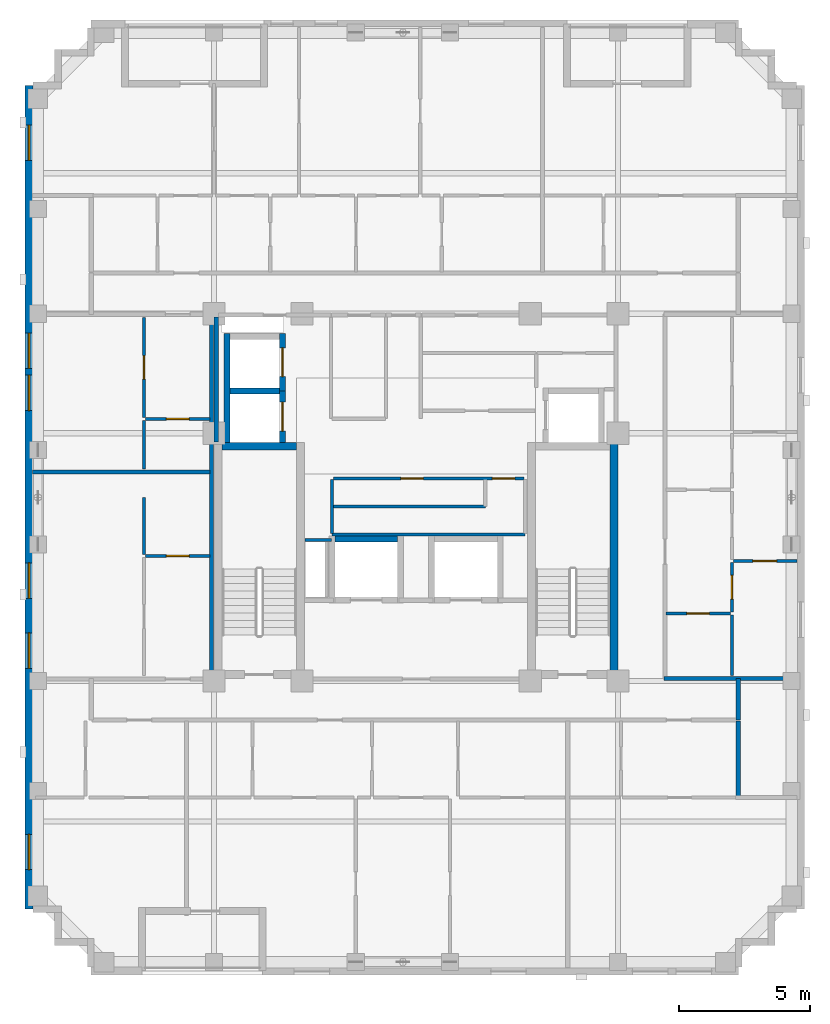
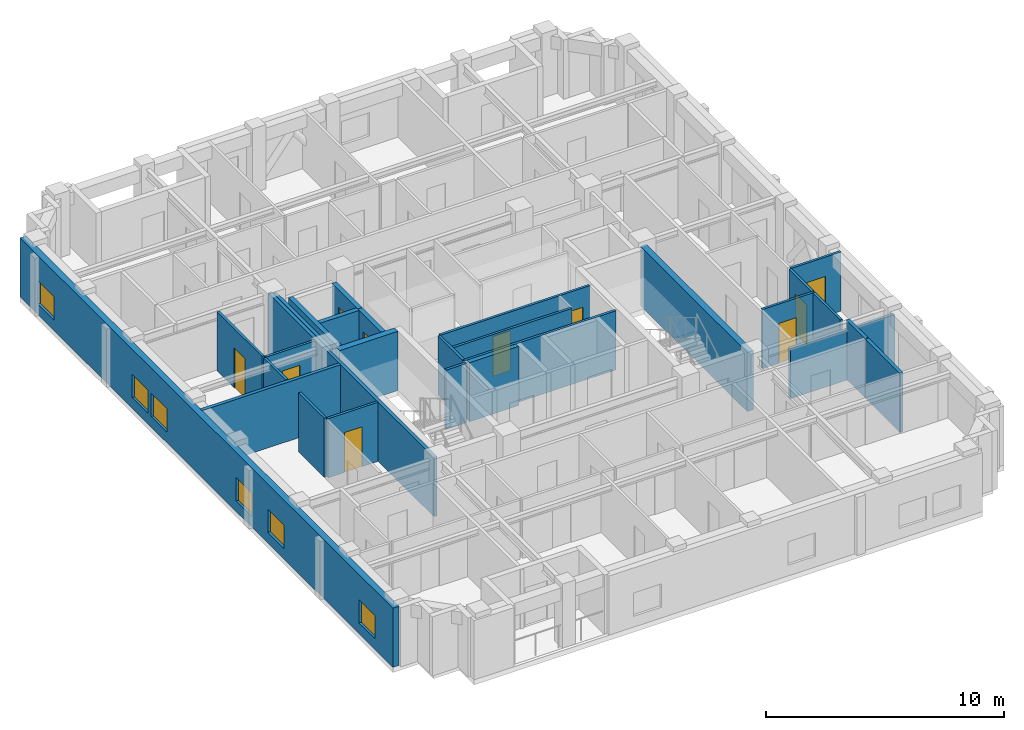
# One storey, part 4 of 10: 28 walls, 10 doors, 6 windows, 16 openings.
"""IFC4 building model written with IfcOpenShell, lengths in metres."""

from ifc_helpers import new_model, si_unit, derived_unit, direction, frame, frame_2d, origin, place, context, subcontext, project, spatial, rectangle, extrude, material, layer, layer_set, type_object, element, fill, save


model = new_model("IFC4")

# Units and contexts
model_context = context("Model", 3, precision=1e-05, world=origin(), true_north=direction((0.0, 1.0)))
body_context = subcontext(model_context, "Body", "Model", "MODEL_VIEW")
ifc_project = project(units=[si_unit("LENGTHUNIT", "METRE"), si_unit("AREAUNIT", "SQUARE_METRE"), si_unit("VOLUMEUNIT", "CUBIC_METRE"), si_unit("PLANEANGLEUNIT", "RADIAN"), si_unit("MASSUNIT", "GRAM", prefix="KILO"), derived_unit("THERMALTRANSMITTANCEUNIT", [(si_unit("MASSUNIT", "GRAM", prefix="KILO"), 1), (si_unit("TIMEUNIT", "SECOND"), -3), (si_unit("THERMODYNAMICTEMPERATUREUNIT", "KELVIN"), -1)])], contexts=[model_context])

# Site, building, storey
site_placement = place(None, origin())
site = spatial("IfcSite", under=ifc_project, at=site_placement, CompositionType="ELEMENT")
building_placement = place(site_placement, origin())
building = spatial("IfcBuilding", under=site, at=building_placement, Name="Korrvale Station Residences", CompositionType="ELEMENT")
storey_placement = place(building_placement, frame((0.0, 0.0, 200.800048828125)))
storey = spatial("IfcBuildingStorey", under=building, at=storey_placement, Name="L58", CompositionType="ELEMENT", Elevation=200.800048828125)

# Walls
ifc_material_1 = material(Name="Concrete C50/60", Category="concrete")
ifc_layer_1 = layer(ifc_material_1, 0.300048828125, Name="Concrete C50/60")
ifc_layer_set_1 = layer_set([ifc_layer_1], Name="Concrete C50/60")
wall_type_1 = type_object("IfcWallType", Name="WAL-CORE-300-C50", PredefinedType="SHEAR", material=ifc_layer_set_1)
wall_1_placement = place(storey_placement, frame((18.10009765625, 23.949951171875, 0.0), z_axis=(0.0, 0.0, 1.0), x_axis=(1.0, 0.0, 0.0)))
element("IfcWall", 1, at=wall_1_placement, inside=storey, type_object=wall_type_1, Name="L58 ST-1 Core Shear Wall North", PredefinedType="SHEAR", context=body_context, shape_type="SweptSolid", body=[
    extrude(rectangle(XDim=2.849853515625, YDim=0.300048828125, at=frame_2d((1.4248046875, 0.0))), origin(), (0.0, 0.0, 1.0), 3.0400390625),
])
wall_2_placement = place(storey_placement, frame((33.050048828125, 15.10009765625, 0.0), z_axis=(0.0, 0.0, 1.0), x_axis=(0.0, 1.0, 0.0)))
element("IfcWall", 2, at=wall_2_placement, inside=storey, type_object=wall_type_1, Name="L58 ST-2 Core Shear Wall East", PredefinedType="SHEAR", context=body_context, shape_type="SweptSolid", body=[
    extrude(rectangle(XDim=9.0, YDim=0.300048828125, at=frame_2d((4.5, 0.0))), origin(), (0.0, 0.0, 1.0), 3.0400390625),
])

# Wall, openings, windows
ifc_material_2 = material(Name="Precast concrete C45/55", Category="concrete")
ifc_layer_2 = layer(ifc_material_2, 0.300048828125, Name="Precast concrete C45/55")
ifc_layer_set_2 = layer_set([ifc_layer_2], Name="Precast concrete C45/55")
wall_type_2 = type_object("IfcWallType", Name="WAL-EXT-PC300", PredefinedType="SOLIDWALL", material=ifc_layer_set_2)
wall_3_placement = place(storey_placement, frame((10.75, 6.300048828125, 0.0), z_axis=(0.0, 0.0, 1.0), x_axis=(0.0, 1.0, 0.0)))
wall_3 = element("IfcWall", 3, at=wall_3_placement, inside=storey, type_object=wall_type_2, Name="L58 West Exterior Precast Wall 1", PredefinedType="SOLIDWALL", context=body_context, shape_type="SweptSolid", body=[
    extrude(rectangle(XDim=31.39990234375, YDim=0.300048828125, at=frame_2d((15.699951171875, 0.0))), origin(), (0.0, 0.0, 1.0), 3.0400390625),
])
opening_1_placement = place(wall_3_placement, frame((1.50390625, 0.0, 0.550048828125)))
opening_1 = element("IfcOpeningElement", 4, at=opening_1_placement, cuts=wall_3, Name="Opening W-10", PredefinedType="OPENING", context=body_context, shape_type="SweptSolid", body=[
    extrude(rectangle(XDim=1.35009765625, YDim=1.199951171875, at=frame_2d((0.675048828125, 0.60009765625))), frame((0.0, 0.16015625, 0.0), z_axis=(0.0, -1.0, 0.0), x_axis=(1.0, 0.0, 0.0)), (0.0, 0.0, 1.0), 0.320068359375),
])
opening_2_placement = place(wall_3_placement, frame((28.5458984375, 0.0, 0.550048828125)))
opening_2 = element("IfcOpeningElement", 5, at=opening_2_placement, cuts=wall_3, Name="Opening W-10", PredefinedType="OPENING", context=body_context, shape_type="SweptSolid", body=[
    extrude(rectangle(XDim=1.35009765625, YDim=1.199951171875, at=frame_2d((0.675048828125, 0.60009765625))), frame((0.0, 0.16015625, 0.0), z_axis=(0.0, -1.0, 0.0), x_axis=(1.0, 0.0, 0.0)), (0.0, 0.0, 1.0), 0.320068359375),
])
opening_3_placement = place(wall_3_placement, frame((11.85009765625, 0.0, 0.550048828125)))
opening_3 = element("IfcOpeningElement", 6, at=opening_3_placement, cuts=wall_3, Name="Opening W-10", PredefinedType="OPENING", context=body_context, shape_type="SweptSolid", body=[
    extrude(rectangle(XDim=1.35009765625, YDim=1.199951171875, at=frame_2d((0.675048828125, 0.60009765625))), frame((0.0, 0.16015625, 0.0), z_axis=(0.0, -1.0, 0.0), x_axis=(1.0, 0.0, 0.0)), (0.0, 0.0, 1.0), 0.320068359375),
])
opening_4_placement = place(wall_3_placement, frame((9.18505859375, 0.0, 0.550048828125)))
opening_4 = element("IfcOpeningElement", 7, at=opening_4_placement, cuts=wall_3, Name="Opening W-10", PredefinedType="OPENING", context=body_context, shape_type="SweptSolid", body=[
    extrude(rectangle(XDim=1.35009765625, YDim=1.199951171875, at=frame_2d((0.675048828125, 0.60009765625))), frame((0.0, 0.16015625, 0.0), z_axis=(0.0, -1.0, 0.0), x_axis=(1.0, 0.0, 0.0)), (0.0, 0.0, 1.0), 0.320068359375),
])
opening_5_placement = place(wall_3_placement, frame((19.006103515625, 0.0, 0.550048828125)))
opening_5 = element("IfcOpeningElement", 8, at=opening_5_placement, cuts=wall_3, Name="Opening W-10", PredefinedType="OPENING", context=body_context, shape_type="SweptSolid", body=[
    extrude(rectangle(XDim=1.35009765625, YDim=1.199951171875, at=frame_2d((0.675048828125, 0.60009765625))), frame((0.0, 0.16015625, 0.0), z_axis=(0.0, -1.0, 0.0), x_axis=(1.0, 0.0, 0.0)), (0.0, 0.0, 1.0), 0.320068359375),
])
opening_6_placement = place(wall_3_placement, frame((20.615966796875, 0.0, 0.550048828125)))
opening_6 = element("IfcOpeningElement", 9, at=opening_6_placement, cuts=wall_3, Name="Opening W-10", PredefinedType="OPENING", context=body_context, shape_type="SweptSolid", body=[
    extrude(rectangle(XDim=1.35009765625, YDim=1.199951171875, at=frame_2d((0.675048828125, 0.60009765625))), frame((0.0, 0.16015625, 0.0), z_axis=(0.0, -1.0, 0.0), x_axis=(1.0, 0.0, 0.0)), (0.0, 0.0, 1.0), 0.320068359375),
])
ifc_material_3 = material(Name="Thermally broken aluminium frame with triple low-e glazing", Category="aluminium")
window_type = type_object("IfcWindowType", Name="WIN-W10", PartitioningType="SINGLE_PANEL", PredefinedType="WINDOW", material=ifc_material_3)
window_1_placement = place(opening_1_placement, origin())
window_1 = element("IfcWindow", 10, at=window_1_placement, inside=storey, type_object=window_type, Name="L58 Punched Window 01", OverallHeight=1.199951171875, OverallWidth=1.35009765625, PartitioningType="SINGLE_PANEL", PredefinedType="WINDOW", context=body_context, shape_type="SweptSolid", body=[
    extrude(rectangle(XDim=1.35009765625, YDim=1.199951171875, at=frame_2d((0.675048828125, 0.60009765625))), frame((0.0, 0.030029296875, 0.0), z_axis=(0.0, -1.0, 0.0), x_axis=(1.0, 0.0, 0.0)), (0.0, 0.0, 1.0), 0.06005859375),
])
fill(opening_1, window_1)
window_2_placement = place(opening_2_placement, origin())
window_2 = element("IfcWindow", 11, at=window_2_placement, inside=storey, type_object=window_type, Name="L58 Punched Window 06", OverallHeight=1.199951171875, OverallWidth=1.35009765625, PartitioningType="SINGLE_PANEL", PredefinedType="WINDOW", context=body_context, shape_type="SweptSolid", body=[
    extrude(rectangle(XDim=1.35009765625, YDim=1.199951171875, at=frame_2d((0.675048828125, 0.60009765625))), frame((0.0, 0.030029296875, 0.0), z_axis=(0.0, -1.0, 0.0), x_axis=(1.0, 0.0, 0.0)), (0.0, 0.0, 1.0), 0.06005859375),
])
fill(opening_2, window_2)
window_3_placement = place(opening_3_placement, origin())
window_3 = element("IfcWindow", 12, at=window_3_placement, inside=storey, type_object=window_type, Name="L58 Punched Window 11", OverallHeight=1.199951171875, OverallWidth=1.35009765625, PartitioningType="SINGLE_PANEL", PredefinedType="WINDOW", context=body_context, shape_type="SweptSolid", body=[
    extrude(rectangle(XDim=1.35009765625, YDim=1.199951171875, at=frame_2d((0.675048828125, 0.60009765625))), frame((0.0, 0.030029296875, 0.0), z_axis=(0.0, -1.0, 0.0), x_axis=(1.0, 0.0, 0.0)), (0.0, 0.0, 1.0), 0.06005859375),
])
fill(opening_3, window_3)
window_4_placement = place(opening_4_placement, origin())
window_4 = element("IfcWindow", 13, at=window_4_placement, inside=storey, type_object=window_type, Name="L58 Punched Window 12", OverallHeight=1.199951171875, OverallWidth=1.35009765625, PartitioningType="SINGLE_PANEL", PredefinedType="WINDOW", context=body_context, shape_type="SweptSolid", body=[
    extrude(rectangle(XDim=1.35009765625, YDim=1.199951171875, at=frame_2d((0.675048828125, 0.60009765625))), frame((0.0, 0.030029296875, 0.0), z_axis=(0.0, -1.0, 0.0), x_axis=(1.0, 0.0, 0.0)), (0.0, 0.0, 1.0), 0.06005859375),
])
fill(opening_4, window_4)
window_5_placement = place(opening_5_placement, origin())
window_5 = element("IfcWindow", 14, at=window_5_placement, inside=storey, type_object=window_type, Name="L58 Punched Window 13", OverallHeight=1.199951171875, OverallWidth=1.35009765625, PartitioningType="SINGLE_PANEL", PredefinedType="WINDOW", context=body_context, shape_type="SweptSolid", body=[
    extrude(rectangle(XDim=1.35009765625, YDim=1.199951171875, at=frame_2d((0.675048828125, 0.60009765625))), frame((0.0, 0.030029296875, 0.0), z_axis=(0.0, -1.0, 0.0), x_axis=(1.0, 0.0, 0.0)), (0.0, 0.0, 1.0), 0.06005859375),
])
fill(opening_5, window_5)
window_6_placement = place(opening_6_placement, origin())
window_6 = element("IfcWindow", 15, at=window_6_placement, inside=storey, type_object=window_type, Name="L58 Punched Window 14", OverallHeight=1.199951171875, OverallWidth=1.35009765625, PartitioningType="SINGLE_PANEL", PredefinedType="WINDOW", context=body_context, shape_type="SweptSolid", body=[
    extrude(rectangle(XDim=1.35009765625, YDim=1.199951171875, at=frame_2d((0.675048828125, 0.60009765625))), frame((0.0, 0.030029296875, 0.0), z_axis=(0.0, -1.0, 0.0), x_axis=(1.0, 0.0, 0.0)), (0.0, 0.0, 1.0), 0.06005859375),
])
fill(opening_6, window_6)

# Walls
ifc_material_4 = material(Name="Acoustic steel-stud gypsum board partition", Category="steel")
ifc_layer_3 = layer(ifc_material_4, 0.1201171875, Name="Acoustic steel-stud gypsum board partition")
ifc_layer_set_3 = layer_set([ifc_layer_3], Name="Acoustic steel-stud gypsum board partition")
wall_type_3 = type_object("IfcWallType", Name="WAL-PART-125", PredefinedType="PARTITIONING", material=ifc_layer_set_3)
wall_4_placement = place(storey_placement, frame((22.280029296875, 20.3798828125, 0.0), z_axis=(0.0, 0.0, 1.0), x_axis=(-1.0, 0.0, 0.0)))
element("IfcWall", 16, at=wall_4_placement, inside=storey, type_object=wall_type_3, Name="L58 Core Partition CW-RSWT-N", PredefinedType="PARTITIONING", context=body_context, shape_type="SweptSolid", body=[
    extrude(rectangle(XDim=1.02001953125, YDim=0.1201171875, at=frame_2d((0.510009765625, 0.0))), origin(), (0.0, 0.0, 1.0), 3.0400390625),
])
wall_5_placement = place(storey_placement, frame((22.300048828125, 20.580078125, 0.0), z_axis=(0.0, 0.0, 1.0), x_axis=(1.0, 0.0, 0.0)))
element("IfcWall", 17, at=wall_5_placement, inside=storey, type_object=wall_type_3, Name="L58 Core Partition CW-FPM-S", PredefinedType="PARTITIONING", context=body_context, shape_type="SweptSolid", body=[
    extrude(rectangle(XDim=7.349853515625, YDim=0.1201171875, at=frame_2d((3.6748046875, 0.0))), origin(), (0.0, 0.0, 1.0), 3.0400390625),
])
wall_6_placement = place(storey_placement, frame((22.300048828125, 20.6201171875, 0.0), z_axis=(0.0, 0.0, 1.0), x_axis=(0.0, 1.0, 0.0)))
element("IfcWall", 18, at=wall_6_placement, inside=storey, type_object=wall_type_3, Name="L58 Core Partition CW-FPM-W", PredefinedType="PARTITIONING", context=body_context, shape_type="SweptSolid", body=[
    extrude(rectangle(XDim=2.059814453125, YDim=0.1201171875, at=frame_2d((1.02978515625, 0.0))), origin(), (0.0, 0.0, 1.0), 3.0400390625),
])
wall_7_placement = place(storey_placement, frame((22.35009765625, 21.64990234375, 0.0), z_axis=(0.0, 0.0, 1.0), x_axis=(1.0, 0.0, 0.0)))
element("IfcWall", 19, at=wall_7_placement, inside=storey, type_object=wall_type_3, Name="L58 Core Partition CW-FPM-H1", PredefinedType="PARTITIONING", context=body_context, shape_type="SweptSolid", body=[
    extrude(rectangle(XDim=5.789794921875, YDim=0.1201171875, at=frame_2d((2.89501953125, 0.0))), origin(), (0.0, 0.0, 1.0), 3.0400390625),
])

# Wall, openings, doors
wall_8_placement = place(storey_placement, frame((22.35009765625, 22.719970703125, 0.0), z_axis=(0.0, 0.0, 1.0), x_axis=(1.0, 0.0, 0.0)))
wall_8 = element("IfcWall", 20, at=wall_8_placement, inside=storey, type_object=wall_type_3, Name="L58 Core Partition CW-FPM-N", PredefinedType="PARTITIONING", context=body_context, shape_type="SweptSolid", body=[
    extrude(rectangle(XDim=7.27001953125, YDim=0.1201171875, at=frame_2d((3.635009765625, 0.0))), origin(), (0.0, 0.0, 1.0), 3.0400390625),
])
opening_7_placement = place(wall_8_placement, frame((2.570068359375, 0.0, 0.0)))
opening_7 = element("IfcOpeningElement", 21, at=opening_7_placement, cuts=wall_8, Name="Opening DB-860", PredefinedType="OPENING", context=body_context, shape_type="SweptSolid", body=[
    extrude(rectangle(XDim=0.860107421875, YDim=2.050048828125, at=frame_2d((0.43017578125, 1.02490234375))), frame((0.0, 0.070068359375, 0.0), z_axis=(0.0, -1.0, 0.0), x_axis=(1.0, 0.0, 0.0)), (0.0, 0.0, 1.0), 0.14013671875),
])
opening_8_placement = place(wall_8_placement, frame((6.06005859375, 0.0, 0.0)))
opening_8 = element("IfcOpeningElement", 22, at=opening_8_placement, cuts=wall_8, Name="Opening DB-860", PredefinedType="OPENING", context=body_context, shape_type="SweptSolid", body=[
    extrude(rectangle(XDim=0.860107421875, YDim=2.050048828125, at=frame_2d((0.43017578125, 1.02490234375))), frame((0.0, 0.070068359375, 0.0), z_axis=(0.0, -1.0, 0.0), x_axis=(1.0, 0.0, 0.0)), (0.0, 0.0, 1.0), 0.14013671875),
])
ifc_material_5 = material(Name="Moisture-resistant solid-core bathroom door", Category="timber")
door_type_1 = type_object("IfcDoorType", Name="DR-BATH-860", OperationType="NOTDEFINED", PredefinedType="DOOR", material=ifc_material_5)
door_1_placement = place(opening_7_placement, origin())
door_1 = element("IfcDoor", 23, at=door_1_placement, inside=storey, type_object=door_type_1, Name="L58 Sky Pantry Door", OperationType="SINGLE_SWING_LEFT", OverallHeight=2.050048828125, OverallWidth=0.860107421875, PredefinedType="DOOR", context=body_context, shape_type="SweptSolid", body=[
    extrude(rectangle(XDim=0.860107421875, YDim=2.050048828125, at=frame_2d((0.43017578125, 1.02490234375))), frame((0.0, 0.02490234375, 0.0), z_axis=(0.0, -1.0, 0.0), x_axis=(1.0, 0.0, 0.0)), (0.0, 0.0, 1.0), 0.050048828125),
])
fill(opening_7, door_1)
door_2_placement = place(opening_8_placement, origin())
door_2 = element("IfcDoor", 24, at=door_2_placement, inside=storey, type_object=door_type_1, Name="L58 Tableware Store Door", OperationType="SINGLE_SWING_RIGHT", OverallHeight=2.050048828125, OverallWidth=0.860107421875, PredefinedType="DOOR", context=body_context, shape_type="SweptSolid", body=[
    extrude(rectangle(XDim=0.860107421875, YDim=2.050048828125, at=frame_2d((0.43017578125, 1.02490234375))), frame((0.0, 0.02490234375, 0.0), z_axis=(0.0, -1.0, 0.0), x_axis=(1.0, 0.0, 0.0)), (0.0, 0.0, 1.0), 0.050048828125),
])
fill(opening_8, door_2)

# Wall, opening, door
wall_9_placement = place(storey_placement, frame((15.18994140625, 19.77001953125, 0.0), z_axis=(0.0, 0.0, 1.0), x_axis=(1.0, 0.0, 0.0)))
wall_9 = element("IfcWall", 25, at=wall_9_placement, inside=storey, type_object=wall_type_3, Name="L58 Suite Partition U06-H01", PredefinedType="PARTITIONING", context=body_context, shape_type="SweptSolid", body=[
    extrude(rectangle(XDim=2.449951171875, YDim=0.1201171875, at=frame_2d((1.22509765625, 0.0))), origin(), (0.0, 0.0, 1.0), 3.0400390625),
])
opening_9_placement = place(wall_9_placement, frame((0.794921875, 0.0, 0.0)))
opening_9 = element("IfcOpeningElement", 26, at=opening_9_placement, cuts=wall_9, Name="Opening DB-860", PredefinedType="OPENING", context=body_context, shape_type="SweptSolid", body=[
    extrude(rectangle(XDim=0.860107421875, YDim=2.050048828125, at=frame_2d((0.43017578125, 1.02490234375))), frame((0.0, 0.070068359375, 0.0), z_axis=(0.0, -1.0, 0.0), x_axis=(1.0, 0.0, 0.0)), (0.0, 0.0, 1.0), 0.14013671875),
])
door_3_placement = place(opening_9_placement, origin())
door_3 = element("IfcDoor", 27, at=door_3_placement, inside=storey, type_object=door_type_1, Name="L58 Apartment 1BR L58-U06 Bathroom Door", OperationType="SINGLE_SWING_RIGHT", OverallHeight=2.050048828125, OverallWidth=0.860107421875, PredefinedType="DOOR", context=body_context, shape_type="SweptSolid", body=[
    extrude(rectangle(XDim=0.860107421875, YDim=2.050048828125, at=frame_2d((0.43017578125, 1.02490234375))), frame((0.0, 0.02490234375, 0.0), z_axis=(0.0, -1.0, 0.0), x_axis=(1.0, 0.0, 0.0)), (0.0, 0.0, 1.0), 0.050048828125),
])
fill(opening_9, door_3)

# Wall
wall_10_placement = place(storey_placement, frame((15.1298828125, 19.830078125, 0.0), z_axis=(0.0, 0.0, 1.0), x_axis=(0.0, 1.0, 0.0)))
element("IfcWall", 28, at=wall_10_placement, inside=storey, type_object=wall_type_3, Name="L58 Suite Partition U06-V02", PredefinedType="PARTITIONING", context=body_context, shape_type="SweptSolid", body=[
    extrude(rectangle(XDim=2.158935546875, YDim=0.1201171875, at=frame_2d((1.07958984375, 0.0))), origin(), (0.0, 0.0, 1.0), 3.0400390625),
])

# Wall, opening, door
wall_11_placement = place(storey_placement, frame((15.18994140625, 24.991943359375, 0.0), z_axis=(0.0, 0.0, 1.0), x_axis=(1.0, 0.0, 0.0)))
wall_11 = element("IfcWall", 29, at=wall_11_placement, inside=storey, type_object=wall_type_3, Name="L58 Suite Partition U07-H01", PredefinedType="PARTITIONING", context=body_context, shape_type="SweptSolid", body=[
    extrude(rectangle(XDim=2.449951171875, YDim=0.1201171875, at=frame_2d((1.22509765625, 0.0))), origin(), (0.0, 0.0, 1.0), 3.0400390625),
])
opening_10_placement = place(wall_11_placement, frame((0.794921875, 0.0, 0.0)))
opening_10 = element("IfcOpeningElement", 30, at=opening_10_placement, cuts=wall_11, Name="Opening DB-860", PredefinedType="OPENING", context=body_context, shape_type="SweptSolid", body=[
    extrude(rectangle(XDim=0.860107421875, YDim=2.050048828125, at=frame_2d((0.43017578125, 1.02490234375))), frame((0.0, 0.070068359375, 0.0), z_axis=(0.0, -1.0, 0.0), x_axis=(1.0, 0.0, 0.0)), (0.0, 0.0, 1.0), 0.14013671875),
])
door_4_placement = place(opening_10_placement, origin())
door_4 = element("IfcDoor", 31, at=door_4_placement, inside=storey, type_object=door_type_1, Name="L58 Apartment 1BR L58-U07 Bathroom Door", OperationType="SINGLE_SWING_LEFT", OverallHeight=2.050048828125, OverallWidth=0.860107421875, PredefinedType="DOOR", context=body_context, shape_type="SweptSolid", body=[
    extrude(rectangle(XDim=0.860107421875, YDim=2.050048828125, at=frame_2d((0.43017578125, 1.02490234375))), frame((0.0, 0.02490234375, 0.0), z_axis=(0.0, -1.0, 0.0), x_axis=(1.0, 0.0, 0.0)), (0.0, 0.0, 1.0), 0.050048828125),
])
fill(opening_10, door_4)

# Wall
wall_12_placement = place(storey_placement, frame((15.1298828125, 23.08203125, 0.0), z_axis=(0.0, 0.0, 1.0), x_axis=(0.0, 1.0, 0.0)))
element("IfcWall", 32, at=wall_12_placement, inside=storey, type_object=wall_type_3, Name="L58 Suite Partition U07-V02", PredefinedType="PARTITIONING", context=body_context, shape_type="SweptSolid", body=[
    extrude(rectangle(XDim=1.849853515625, YDim=0.1201171875, at=frame_2d((0.9248046875, 0.0))), origin(), (0.0, 0.0, 1.0), 3.0400390625),
])

# Wall, opening, door
wall_13_placement = place(storey_placement, frame((15.1298828125, 25.052001953125, 0.0), z_axis=(0.0, 0.0, 1.0), x_axis=(0.0, 1.0, 0.0)))
wall_13 = element("IfcWall", 33, at=wall_13_placement, inside=storey, type_object=wall_type_3, Name="L58 Suite Partition U07-V12", PredefinedType="PARTITIONING", context=body_context, shape_type="SweptSolid", body=[
    extrude(rectangle(XDim=3.80810546875, YDim=0.1201171875, at=frame_2d((1.904052734375, 0.0))), origin(), (0.0, 0.0, 1.0), 3.0400390625),
])
opening_11_placement = place(wall_13_placement, frame((1.4541015625, 0.0, 0.0)))
opening_11 = element("IfcOpeningElement", 34, at=opening_11_placement, cuts=wall_13, Name="Opening DI-900", PredefinedType="OPENING", context=body_context, shape_type="SweptSolid", body=[
    extrude(rectangle(XDim=0.89990234375, YDim=2.050048828125, at=frame_2d((0.449951171875, 1.02490234375))), frame((0.0, 0.070068359375, 0.0), z_axis=(0.0, -1.0, 0.0), x_axis=(1.0, 0.0, 0.0)), (0.0, 0.0, 1.0), 0.14013671875),
])
ifc_material_6 = material(Name="Painted solid-core timber interior room door", Category="wood")
door_type_2 = type_object("IfcDoorType", Name="DR-INT-900", OperationType="NOTDEFINED", PredefinedType="DOOR", material=ifc_material_6)
door_5_placement = place(opening_11_placement, origin())
door_5 = element("IfcDoor", 35, at=door_5_placement, inside=storey, type_object=door_type_2, Name="L58 Apartment 1BR L58-U07 Kitchen Door", OperationType="SINGLE_SWING_RIGHT", OverallHeight=2.050048828125, OverallWidth=0.89990234375, PredefinedType="DOOR", context=body_context, shape_type="SweptSolid", body=[
    extrude(rectangle(XDim=0.89990234375, YDim=2.050048828125, at=frame_2d((0.449951171875, 1.02490234375))), frame((0.0, 0.02490234375, 0.0), z_axis=(0.0, -1.0, 0.0), x_axis=(1.0, 0.0, 0.0)), (0.0, 0.0, 1.0), 0.050048828125),
])
fill(opening_11, door_5)

wall_14_placement = place(storey_placement, frame((35.030029296875, 17.570068359375, 0.0), z_axis=(0.0, 0.0, 1.0), x_axis=(1.0, 0.0, 0.0)))
wall_14 = element("IfcWall", 36, at=wall_14_placement, inside=storey, type_object=wall_type_3, Name="L58 Suite Partition U08-H12", PredefinedType="PARTITIONING", context=body_context, shape_type="SweptSolid", body=[
    extrude(rectangle(XDim=2.449951171875, YDim=0.1201171875, at=frame_2d((1.22509765625, 0.0))), origin(), (0.0, 0.0, 1.0), 3.0400390625),
])
opening_12_placement = place(wall_14_placement, frame((0.794921875, 0.0, 0.0)))
opening_12 = element("IfcOpeningElement", 37, at=opening_12_placement, cuts=wall_14, Name="Opening DB-860", PredefinedType="OPENING", context=body_context, shape_type="SweptSolid", body=[
    extrude(rectangle(XDim=0.860107421875, YDim=2.050048828125, at=frame_2d((0.43017578125, 1.02490234375))), frame((0.0, 0.070068359375, 0.0), z_axis=(0.0, -1.0, 0.0), x_axis=(1.0, 0.0, 0.0)), (0.0, 0.0, 1.0), 0.14013671875),
])
door_6_placement = place(opening_12_placement, origin())
door_6 = element("IfcDoor", 38, at=door_6_placement, inside=storey, type_object=door_type_1, Name="L58 Apartment 2BR L58-U08 Bathroom Door", OperationType="SINGLE_SWING_RIGHT", OverallHeight=2.050048828125, OverallWidth=0.860107421875, PredefinedType="DOOR", context=body_context, shape_type="SweptSolid", body=[
    extrude(rectangle(XDim=0.860107421875, YDim=2.050048828125, at=frame_2d((0.43017578125, 1.02490234375))), frame((0.0, 0.02490234375, 0.0), z_axis=(0.0, -1.0, 0.0), x_axis=(1.0, 0.0, 0.0)), (0.0, 0.0, 1.0), 0.050048828125),
])
fill(opening_12, door_6)

# Wall
wall_15_placement = place(storey_placement, frame((37.5400390625, 15.2099609375, 0.0), z_axis=(0.0, 0.0, 1.0), x_axis=(0.0, 1.0, 0.0)))
element("IfcWall", 39, at=wall_15_placement, inside=storey, type_object=wall_type_3, Name="L58 Suite Partition U08-V13", PredefinedType="PARTITIONING", context=body_context, shape_type="SweptSolid", body=[
    extrude(rectangle(XDim=2.300048828125, YDim=0.1201171875, at=frame_2d((1.14990234375, 0.0))), origin(), (0.0, 0.0, 1.0), 3.0400390625),
])

# Wall, opening, door
wall_16_placement = place(storey_placement, frame((37.5400390625, 17.6298828125, 0.0), z_axis=(0.0, 0.0, 1.0), x_axis=(0.0, 1.0, 0.0)))
wall_16 = element("IfcWall", 40, at=wall_16_placement, inside=storey, type_object=wall_type_3, Name="L58 Suite Partition U08-V23", PredefinedType="PARTITIONING", context=body_context, shape_type="SweptSolid", body=[
    extrude(rectangle(XDim=1.88818359375, YDim=0.1201171875, at=frame_2d((0.944091796875, 0.0))), origin(), (0.0, 0.0, 1.0), 3.0400390625),
])
opening_13_placement = place(wall_16_placement, frame((0.493896484375, 0.0, 0.0)))
opening_13 = element("IfcOpeningElement", 41, at=opening_13_placement, cuts=wall_16, Name="Opening DI-900", PredefinedType="OPENING", context=body_context, shape_type="SweptSolid", body=[
    extrude(rectangle(XDim=0.89990234375, YDim=2.050048828125, at=frame_2d((0.449951171875, 1.02490234375))), frame((0.0, 0.070068359375, 0.0), z_axis=(0.0, -1.0, 0.0), x_axis=(1.0, 0.0, 0.0)), (0.0, 0.0, 1.0), 0.14013671875),
])
door_7_placement = place(opening_13_placement, origin())
door_7 = element("IfcDoor", 42, at=door_7_placement, inside=storey, type_object=door_type_2, Name="L58 Apartment 2BR L58-U08 Kitchen Door", OperationType="SINGLE_SWING_LEFT", OverallHeight=2.050048828125, OverallWidth=0.89990234375, PredefinedType="DOOR", context=body_context, shape_type="SweptSolid", body=[
    extrude(rectangle(XDim=0.89990234375, YDim=2.050048828125, at=frame_2d((0.449951171875, 1.02490234375))), frame((0.0, 0.02490234375, 0.0), z_axis=(0.0, -1.0, 0.0), x_axis=(1.0, 0.0, 0.0)), (0.0, 0.0, 1.0), 0.050048828125),
])
fill(opening_13, door_7)

wall_17_placement = place(storey_placement, frame((37.60009765625, 19.577880859375, 0.0), z_axis=(0.0, 0.0, 1.0), x_axis=(1.0, 0.0, 0.0)))
wall_17 = element("IfcWall", 43, at=wall_17_placement, inside=storey, type_object=wall_type_3, Name="L58 Suite Partition U08-H34", PredefinedType="PARTITIONING", context=body_context, shape_type="SweptSolid", body=[
    extrude(rectangle(XDim=2.419921875, YDim=0.1201171875, at=frame_2d((1.2099609375, 0.0))), origin(), (0.0, 0.0, 1.0), 3.0400390625),
])
opening_14_placement = place(wall_17_placement, frame((0.7451171875, 0.0, 0.0)))
opening_14 = element("IfcOpeningElement", 44, at=opening_14_placement, cuts=wall_17, Name="Opening DI-900", PredefinedType="OPENING", context=body_context, shape_type="SweptSolid", body=[
    extrude(rectangle(XDim=0.89990234375, YDim=2.050048828125, at=frame_2d((0.449951171875, 1.02490234375))), frame((0.0, 0.070068359375, 0.0), z_axis=(0.0, -1.0, 0.0), x_axis=(1.0, 0.0, 0.0)), (0.0, 0.0, 1.0), 0.14013671875),
])
door_8_placement = place(opening_14_placement, origin())
door_8 = element("IfcDoor", 45, at=door_8_placement, inside=storey, type_object=door_type_2, Name="L58 Apartment 2BR L58-U08 Bedroom 1 Door", OperationType="SINGLE_SWING_LEFT", OverallHeight=2.050048828125, OverallWidth=0.89990234375, PredefinedType="DOOR", context=body_context, shape_type="SweptSolid", body=[
    extrude(rectangle(XDim=0.89990234375, YDim=2.050048828125, at=frame_2d((0.449951171875, 1.02490234375))), frame((0.0, 0.02490234375, 0.0), z_axis=(0.0, -1.0, 0.0), x_axis=(1.0, 0.0, 0.0)), (0.0, 0.0, 1.0), 0.050048828125),
])
fill(opening_14, door_8)

# Walls
ifc_material_7 = material(Name="Fire-rated twin-stud gypsum and mineral wool shaftwall assembly", Category="gypsum")
ifc_layer_4 = layer(ifc_material_7, 0.159912109375, Name="Fire-rated twin-stud gypsum and mineral wool shaftwall assembly")
ifc_layer_set_4 = layer_set([ifc_layer_4], Name="Fire-rated twin-stud gypsum and mineral wool shaftwall assembly")
wall_type_4 = type_object("IfcWallType", Name="WAL-PART-200", PredefinedType="PARTITIONING", material=ifc_layer_set_4)
wall_18_placement = place(storey_placement, frame((17.8798828125, 24.1201171875, 0.0), z_axis=(0.0, 0.0, 1.0), x_axis=(0.0, 1.0, 0.0)))
element("IfcWall", 46, at=wall_18_placement, inside=storey, type_object=wall_type_4, Name="L58 Core Partition CW-W-N", PredefinedType="PARTITIONING", context=body_context, shape_type="SweptSolid", body=[
    extrude(rectangle(XDim=4.759765625, YDim=0.159912109375, at=frame_2d((2.3798828125, 0.0))), origin(), (0.0, 0.0, 1.0), 3.0400390625),
])
wall_19_placement = place(storey_placement, frame((37.780029296875, 13.510009765625, 0.0), z_axis=(0.0, 0.0, 1.0), x_axis=(0.0, 1.0, 0.0)))
element("IfcWall", 47, at=wall_19_placement, inside=storey, type_object=wall_type_4, Name="L58 Corridor South East Cap", PredefinedType="PARTITIONING", context=body_context, shape_type="SweptSolid", body=[
    extrude(rectangle(XDim=1.580078125, YDim=0.159912109375, at=frame_2d((0.7900390625, 0.0))), origin(), (0.0, 0.0, 1.0), 3.0400390625),
])
wall_20_placement = place(storey_placement, frame((34.949951171875, 15.090087890625, 0.0), z_axis=(0.0, 0.0, 1.0), x_axis=(1.0, 0.0, 0.0)))
element("IfcWall", 48, at=wall_20_placement, inside=storey, type_object=wall_type_4, Name="L58 East Wing South Corridor Wall", PredefinedType="PARTITIONING", context=body_context, shape_type="SweptSolid", body=[
    extrude(rectangle(XDim=5.070068359375, YDim=0.159912109375, at=frame_2d((2.53515625, 0.0))), origin(), (0.0, 0.0, 1.0), 2.555908203125),
])
wall_21_placement = place(storey_placement, frame((37.780029296875, 10.56005859375, 0.0), z_axis=(0.0, 0.0, 1.0), x_axis=(0.0, 1.0, 0.0)))
element("IfcWall", 49, at=wall_21_placement, inside=storey, type_object=wall_type_4, Name="L58 Corner Step Cheek U03-R", PredefinedType="PARTITIONING", context=body_context, shape_type="SweptSolid", body=[
    extrude(rectangle(XDim=2.909912109375, YDim=0.159912109375, at=frame_2d((1.455078125, 0.0))), origin(), (0.0, 0.0, 1.0), 3.0400390625),
])
wall_22_placement = place(storey_placement, frame((10.8798828125, 22.9619140625, 0.0), z_axis=(0.0, 0.0, 1.0), x_axis=(1.0, 0.0, 0.0)))
element("IfcWall", 50, at=wall_22_placement, inside=storey, type_object=wall_type_4, Name="L58 Demising Wall U06-N", PredefinedType="PARTITIONING", context=body_context, shape_type="SweptSolid", body=[
    extrude(rectangle(XDim=6.760009765625, YDim=0.159912109375, at=frame_2d((3.3798828125, 0.0))), origin(), (0.0, 0.0, 1.0), 3.0400390625),
])
wall_23_placement = place(storey_placement, frame((17.699951171875, 15.02001953125, 0.0), z_axis=(0.0, 0.0, 1.0), x_axis=(0.0, 1.0, 0.0)))
element("IfcWall", 51, at=wall_23_placement, inside=storey, type_object=wall_type_4, Name="L58 Rated Corridor Wall W", PredefinedType="PARTITIONING", context=body_context, shape_type="SweptSolid", body=[
    extrude(rectangle(XDim=13.97998046875, YDim=0.159912109375, at=frame_2d((6.989990234375, 0.0))), origin(), (0.0, 0.0, 1.0), 3.0400390625),
])
ifc_layer_5 = layer(ifc_material_1, 0.219970703125, Name="Concrete C50/60")
ifc_layer_set_5 = layer_set([ifc_layer_5], Name="Concrete C50/60")
wall_type_5 = type_object("IfcWallType", Name="WAL-SHAFT-220-C50", PredefinedType="SHEAR", material=ifc_layer_set_5)
wall_24_placement = place(storey_placement, frame((18.2900390625, 24.10009765625, 0.0), z_axis=(0.0, 0.0, 1.0), x_axis=(0.0, 1.0, 0.0)))
element("IfcWall", 52, at=wall_24_placement, inside=storey, type_object=wall_type_5, Name="L58 Elevator PH-1 Hoistway Wall West", PredefinedType="SHEAR", context=body_context, shape_type="SweptSolid", body=[
    extrude(rectangle(XDim=4.139892578125, YDim=0.219970703125, at=frame_2d((2.06982421875, 0.0))), origin(), (0.0, 0.0, 1.0), 3.0400390625),
])

# Wall, opening, door
wall_25_placement = place(storey_placement, frame((20.409912109375, 24.10009765625, 0.0), z_axis=(0.0, 0.0, 1.0), x_axis=(0.0, 1.0, 0.0)))
wall_25 = element("IfcWall", 53, at=wall_25_placement, inside=storey, type_object=wall_type_5, Name="L58 Elevator PH-1 Hoistway Wall East", PredefinedType="SHEAR", context=body_context, shape_type="SweptSolid", body=[
    extrude(rectangle(XDim=1.9599609375, YDim=0.219970703125, at=frame_2d((0.97998046875, 0.0))), origin(), (0.0, 0.0, 1.0), 3.0400390625),
])
opening_15_placement = place(wall_25_placement, frame((0.429931640625, 0.0, 0.0)))
opening_15 = element("IfcOpeningElement", 54, at=opening_15_placement, cuts=wall_25, Name="Opening LD-1100", PredefinedType="OPENING", context=body_context, shape_type="SweptSolid", body=[
    extrude(rectangle(XDim=1.10009765625, YDim=2.14990234375, at=frame_2d((0.550048828125, 1.074951171875))), frame((0.0, 0.1201171875, 0.0), z_axis=(0.0, -1.0, 0.0), x_axis=(1.0, 0.0, 0.0)), (0.0, 0.0, 1.0), 0.239990234375),
])
ifc_material_8 = material(Name="Brushed stainless-steel elevator landing sliding door", Category="steel")
door_type_3 = type_object("IfcDoorType", Name="DR-LIFT-1100", OperationType="SLIDING_TO_LEFT", PredefinedType="DOOR", material=ifc_material_8)
door_9_placement = place(opening_15_placement, origin())
door_9 = element("IfcDoor", 55, at=door_9_placement, inside=storey, type_object=door_type_3, Name="L58 Elevator PH-1 Sliding Landing Door", OperationType="SLIDING_TO_LEFT", OverallHeight=2.14990234375, OverallWidth=1.10009765625, PredefinedType="DOOR", context=body_context, shape_type="SweptSolid", body=[
    extrude(rectangle(XDim=1.10009765625, YDim=2.14990234375, at=frame_2d((0.550048828125, 1.074951171875))), frame((0.0, 0.02490234375, 0.0), z_axis=(0.0, -1.0, 0.0), x_axis=(1.0, 0.0, 0.0)), (0.0, 0.0, 1.0), 0.050048828125),
])
fill(opening_15, door_9)

# Wall
wall_26_placement = place(storey_placement, frame((18.39990234375, 26.06005859375, 0.0), z_axis=(0.0, 0.0, 1.0), x_axis=(1.0, 0.0, 0.0)))
element("IfcWall", 56, at=wall_26_placement, inside=storey, type_object=wall_type_5, Name="L58 Elevator PH-2 Hoistway Wall South", PredefinedType="SHEAR", context=body_context, shape_type="SweptSolid", body=[
    extrude(rectangle(XDim=1.900146484375, YDim=0.219970703125, at=frame_2d((0.9501953125, 0.0))), origin(), (0.0, 0.0, 1.0), 3.0400390625),
])

# Wall, opening, door
wall_27_placement = place(storey_placement, frame((20.409912109375, 26.06005859375, 0.0), z_axis=(0.0, 0.0, 1.0), x_axis=(0.0, 1.0, 0.0)))
wall_27 = element("IfcWall", 57, at=wall_27_placement, inside=storey, type_object=wall_type_5, Name="L58 Elevator PH-2 Hoistway Wall East", PredefinedType="SHEAR", context=body_context, shape_type="SweptSolid", body=[
    extrude(rectangle(XDim=2.179931640625, YDim=0.219970703125, at=frame_2d((1.08984375, 0.0))), origin(), (0.0, 0.0, 1.0), 3.0400390625),
])
opening_16_placement = place(wall_27_placement, frame((0.5400390625, 0.0, 0.0)))
opening_16 = element("IfcOpeningElement", 58, at=opening_16_placement, cuts=wall_27, Name="Opening LD-1100", PredefinedType="OPENING", context=body_context, shape_type="SweptSolid", body=[
    extrude(rectangle(XDim=1.10009765625, YDim=2.14990234375, at=frame_2d((0.550048828125, 1.074951171875))), frame((0.0, 0.1201171875, 0.0), z_axis=(0.0, -1.0, 0.0), x_axis=(1.0, 0.0, 0.0)), (0.0, 0.0, 1.0), 0.239990234375),
])
door_10_placement = place(opening_16_placement, origin())
door_10 = element("IfcDoor", 59, at=door_10_placement, inside=storey, type_object=door_type_3, Name="L58 Elevator PH-2 Sliding Landing Door", OperationType="SLIDING_TO_LEFT", OverallHeight=2.14990234375, OverallWidth=1.10009765625, PredefinedType="DOOR", context=body_context, shape_type="SweptSolid", body=[
    extrude(rectangle(XDim=1.10009765625, YDim=2.14990234375, at=frame_2d((0.550048828125, 1.074951171875))), frame((0.0, 0.02490234375, 0.0), z_axis=(0.0, -1.0, 0.0), x_axis=(1.0, 0.0, 0.0)), (0.0, 0.0, 1.0), 0.050048828125),
])
fill(opening_16, door_10)

# Wall
wall_28_placement = place(storey_placement, frame((22.39990234375, 20.409912109375, 0.0), z_axis=(0.0, 0.0, 1.0), x_axis=(1.0, 0.0, 0.0)))
element("IfcWall", 60, at=wall_28_placement, inside=storey, type_object=wall_type_5, Name="L58 Elevator FFL-1 Hoistway Wall North", PredefinedType="SHEAR", context=body_context, shape_type="SweptSolid", body=[
    extrude(rectangle(XDim=2.400146484375, YDim=0.219970703125, at=frame_2d((1.2001953125, 0.0))), origin(), (0.0, 0.0, 1.0), 3.0400390625),
])

save(model, "model.ifc")
